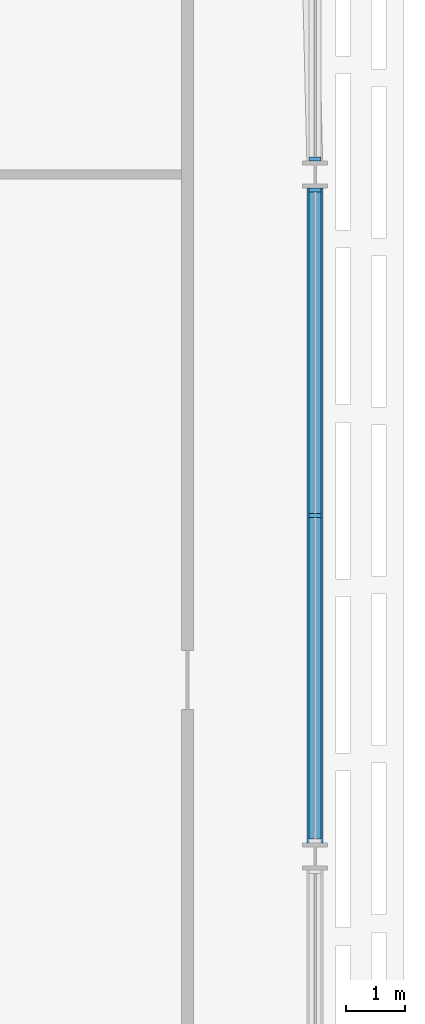
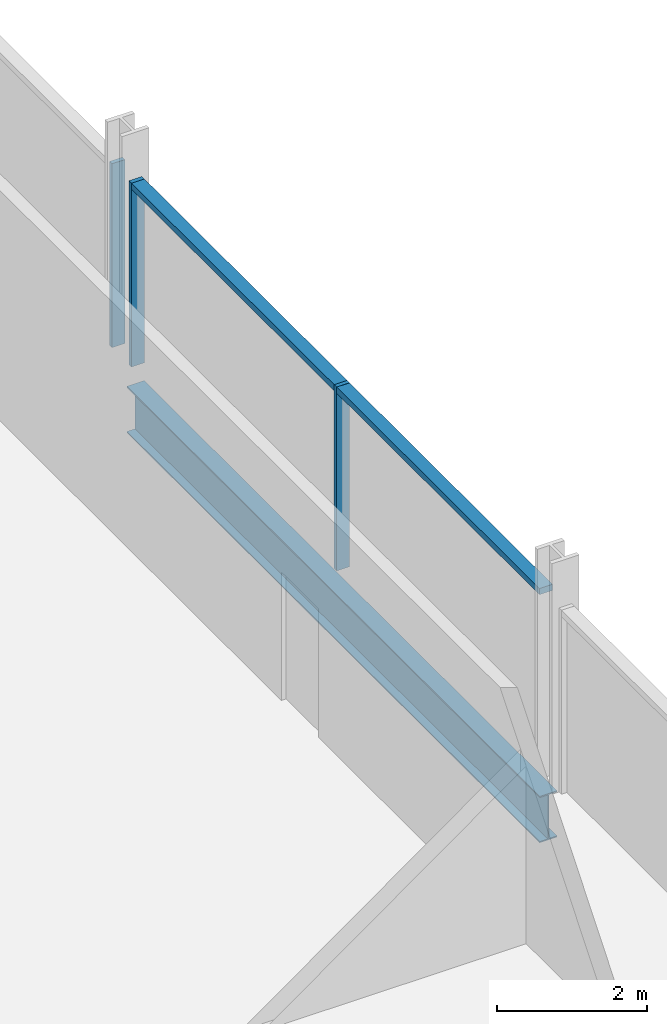
# One storey, part 9 of 29: 5 members, 1 beam, 2 elements without a shape of their own.
"""IFC4 building model written with IfcOpenShell, lengths in metres."""

from ifc_helpers import new_model, si_unit, direction, frame, origin, origin_2d, place, context, subcontext, project, spatial, rectangle, i_section, extrude, material, material_profile, profile_set, type_object, element, aggregate, save


model = new_model("IFC4")

# Units and contexts
model_context = context("Model", 3, precision=1e-05, world=origin(), true_north=direction((0.0, 1.0)))
body_context = subcontext(model_context, "Body", "Model", "MODEL_VIEW")
ifc_project = project(units=[si_unit("LENGTHUNIT", "METRE"), si_unit("AREAUNIT", "SQUARE_METRE"), si_unit("VOLUMEUNIT", "CUBIC_METRE"), si_unit("PLANEANGLEUNIT", "RADIAN"), si_unit("MASSUNIT", "GRAM", prefix="KILO")], contexts=[model_context])

# Site, building, storey
site_placement = place(None, origin())
site = spatial("IfcSite", under=ifc_project, at=site_placement, CompositionType="ELEMENT")
building_placement = place(site_placement, origin())
building = spatial("IfcBuilding", under=site, at=building_placement, Name="Mahtab Terrace Research Tower", CompositionType="ELEMENT")
storey_placement = place(building_placement, frame((0.0, 0.0, 97.10009765625)))
storey = spatial("IfcBuildingStorey", under=building, at=storey_placement, Name="L22", CompositionType="ELEMENT", Elevation=97.10009765625)

# Curtain wall, members
ifc_material_1 = material(Name="Laboratory ribbon curtain wall")
curtain_wall_type = type_object("IfcCurtainWallType", Name="Laboratory ribbon curtain wall", PredefinedType="NOTDEFINED", material=ifc_material_1)
curtain_wall_1_placement = place(storey_placement, origin())
curtain_wall_1 = element("IfcCurtainWall", 1, at=curtain_wall_1_placement, inside=storey, type_object=curtain_wall_type, Name="EN.L22.18.37", PredefinedType="NOTDEFINED")
ifc_material_2 = material(Name="Natural anodised aluminium", Category="aluminium")
ifc_material_profile_1 = material_profile(ifc_material_2, rectangle(XDim=0.199951171875, YDim=0.06494140625, at=origin_2d()), Name="MULLION 65x200")
ifc_profile_set_1 = profile_set([ifc_material_profile_1], Name="Natural anodised aluminium")
member_type_1 = type_object("IfcMemberType", Name="Laboratory ribbon curtain wall mullion", PredefinedType="MULLION", material=ifc_profile_set_1)
member_1_placement = place(storey_placement, frame((54.0, 5.75, 0.0), z_axis=(0.0, 0.0, 1.0), x_axis=(-1.0, 0.0, 0.0)))
member_1 = element("IfcMember", 2, at=member_1_placement, type_object=member_type_1, Name="CWL-3 mullion 2", PredefinedType="MULLION", context=body_context, shape_type="SweptSolid", body=[
    extrude(rectangle(XDim=0.199951171875, YDim=0.06494140625, at=origin_2d()), origin(), (0.0, 0.0, 1.0), 3.0029296875),
])
member_2_placement = place(storey_placement, frame((54.0, 11.239501953125, 0.0), z_axis=(0.0, 0.0, 1.0), x_axis=(-1.0, 0.0, 0.0)))
member_2 = element("IfcMember", 3, at=member_2_placement, type_object=member_type_1, Name="CWL-3 mullion 3", PredefinedType="MULLION", context=body_context, shape_type="SweptSolid", body=[
    extrude(rectangle(XDim=0.199951171875, YDim=0.06494140625, at=origin_2d()), origin(), (0.0, 0.0, 1.0), 3.0029296875),
])

# Curtain wall, member
curtain_wall_2_placement = place(storey_placement, origin())
curtain_wall_2 = element("IfcCurtainWall", 4, at=curtain_wall_2_placement, inside=storey, type_object=curtain_wall_type, Name="EN.L22.18.38", PredefinedType="NOTDEFINED")
member_3_placement = place(storey_placement, frame((54.0, 11.760498046875, 0.0), z_axis=(0.0, 0.0, 1.0), x_axis=(-1.0, 0.0, 0.0)))
member_3 = element("IfcMember", 5, at=member_3_placement, type_object=member_type_1, Name="CWL-3 mullion 1", PredefinedType="MULLION", context=body_context, shape_type="SweptSolid", body=[
    extrude(rectangle(XDim=0.199951171875, YDim=0.06494140625, at=origin_2d()), origin(), (0.0, 0.0, 1.0), 3.0029296875),
])
aggregate(curtain_wall_2, [member_3])

# Member
ifc_material_profile_2 = material_profile(ifc_material_2, rectangle(XDim=0.199951171875, YDim=0.10009765625, at=origin_2d()), Name="TRANSOM 100x200")
ifc_profile_set_2 = profile_set([ifc_material_profile_2], Name="Natural anodised aluminium")
member_type_2 = type_object("IfcMemberType", Name="Laboratory ribbon curtain wall transom", PredefinedType="USERDEFINED", material=ifc_profile_set_2)
member_4_placement = place(storey_placement, frame((54.0, 0.29296875, 2.952880859375), z_axis=(0.0, 1.0, 0.0), x_axis=(-1.0, 0.0, 0.0)))
member_4 = element("IfcMember", 6, at=member_4_placement, type_object=member_type_2, Name="CWL-3 transom 1", ObjectType="TRANSOM", PredefinedType="USERDEFINED", context=body_context, shape_type="SweptSolid", body=[
    extrude(rectangle(XDim=0.199951171875, YDim=0.10009765625, at=origin_2d()), origin(), (0.0, 0.0, 1.0), 5.424560546875),
])

member_5_placement = place(storey_placement, frame((54.0, 5.782470703125, 2.952880859375), z_axis=(0.0, 1.0, 0.0), x_axis=(-1.0, 0.0, 0.0)))
member_5 = element("IfcMember", 7, at=member_5_placement, type_object=member_type_2, Name="CWL-3 transom 2", ObjectType="TRANSOM", PredefinedType="USERDEFINED", context=body_context, shape_type="SweptSolid", body=[
    extrude(rectangle(XDim=0.199951171875, YDim=0.10009765625, at=origin_2d()), origin(), (0.0, 0.0, 1.0), 5.424560546875),
])

aggregate(curtain_wall_1, [member_1, member_2, member_4, member_5])

# Beam
ifc_material_3 = material(Name="Steel ASTM A992 Gr 50", Category="steel")
ifc_material_profile_3 = material_profile(ifc_material_3, i_section(OverallWidth=0.2666015625, OverallDepth=0.7568359375, WebThickness=0.013916015625, FlangeThickness=0.019287109375, at=origin_2d()), Name="W30X108")
ifc_profile_set_3 = profile_set([ifc_material_profile_3], Name="Steel ASTM A992 Gr 50")
beam_type = type_object("IfcBeamType", Name="W30x108 beam BS30108", PredefinedType="BEAM", material=ifc_profile_set_3)
beam_placement = place(storey_placement, frame((54.0, 0.227294921875, -0.718505859375), z_axis=(0.0, 1.0, 0.0), x_axis=(-1.0, 0.0, 0.0)))
element("IfcBeam", 8, at=beam_placement, inside=storey, type_object=beam_type, Name="Spandrel beam L22 21", PredefinedType="BEAM", context=body_context, shape_type="SweptSolid", body=[
    extrude(i_section(OverallWidth=0.2666015625, OverallDepth=0.7568359375, WebThickness=0.013916015625, FlangeThickness=0.019287109375, at=origin_2d()), origin(), (0.0, 0.0, 1.0), 11.04541015625),
])

save(model, "model.ifc")
